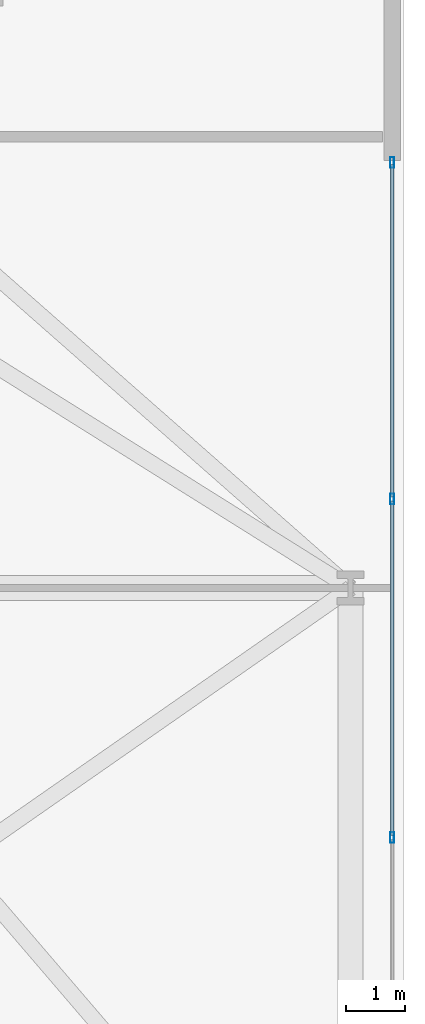
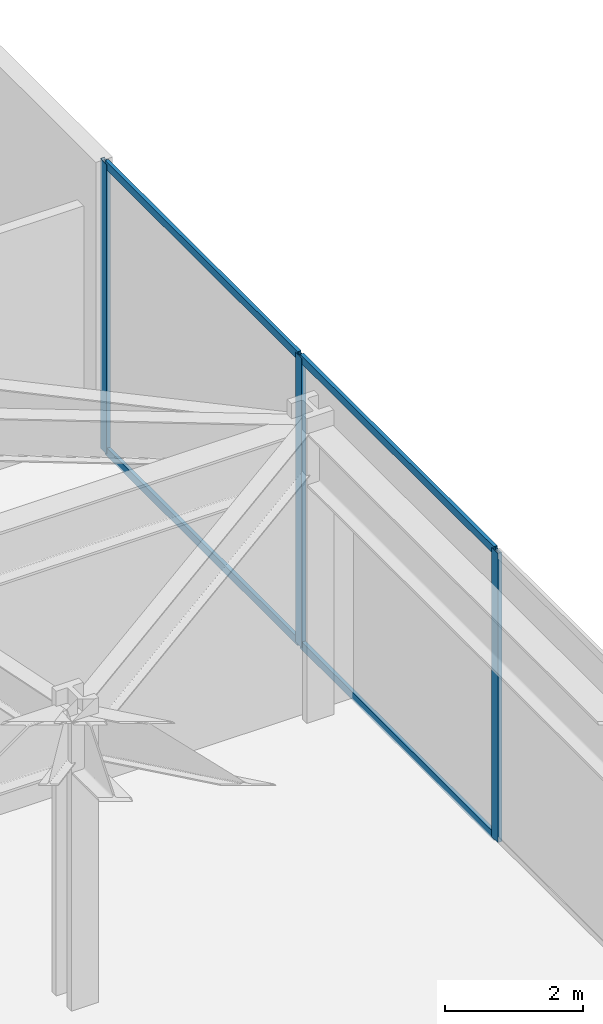
# One storey, part 23 of 31: 7 members, 1 element without a shape of its own.
"""IFC4 building model written with IfcOpenShell, lengths in metres."""

import ifcopenshell
import ifcopenshell.guid

model = None  # the IFC model being written
_history = None  # IfcOwnerHistory: only IFC2X3 demands one
_inside = {}  # id of a spatial element -> (the spatial element, [elements in it])
_under = {}  # id of a project, library or spatial element -> (it, [spatial elements below it])
_declared = {}  # id of a project -> (the project, [libraries it declares])
_typed = {}  # id of a type object -> (the type object, [elements of that type])
_made_of = {}  # id of a material, layer set ... -> (it, [elements and type objects made of it])


def new_model(schema):
    """Start an empty IFC model of exactly this schema.

    Asked for "IFC4X3", IfcOpenShell would pick the latest addendum, in which some entities
    have other attributes; the version numbers below select the first issue.
    IFC2X3 requires an IfcOwnerHistory on every rooted entity: one is made here for all.
    """
    global model, _history
    if schema == "IFC4X3":
        model = ifcopenshell.file(schema_version=(4, 3, 0, 0))
    else:
        model = ifcopenshell.file(schema=schema)
    _inside.clear()
    _under.clear()
    _declared.clear()
    _typed.clear()
    _made_of.clear()
    _history = None
    if model.schema == "IFC2X3":
        org = make("IfcOrganization", Name="unknown")
        user = make(
            "IfcPersonAndOrganization",
            ThePerson=make("IfcPerson", FamilyName="unknown"),
            TheOrganization=org,
        )
        app = make(
            "IfcApplication",
            ApplicationDeveloper=org,
            Version="unknown",
            ApplicationFullName="unknown",
            ApplicationIdentifier="unknown",
        )
        _history = make(
            "IfcOwnerHistory",
            OwningUser=user,
            OwningApplication=app,
            ChangeAction="ADDED",
            CreationDate=0,
        )
    return model


def make(cls, **values):
    """One entity of the class cls with the attributes given. An attribute that is None is left unset."""
    return model.create_entity(
        cls, **{name: value for name, value in values.items() if value is not None}
    )


def rooted(cls, **values):
    """An entity with a GlobalId (a new one), such as an element, a storey or a relation."""
    return make(cls, GlobalId=ifcopenshell.guid.new(), OwnerHistory=_history, **values)


def si_unit(unit_type, name, prefix=None):
    """IfcSIUnit, for example si_unit("LENGTHUNIT", "METRE", prefix="MILLI")."""
    return make("IfcSIUnit", UnitType=unit_type, Prefix=prefix, Name=name)


def assignment(units):
    """IfcUnitAssignment: the units of a project."""
    return None if units is None else make("IfcUnitAssignment", Units=units)


def point(xyz):
    """IfcCartesianPoint."""
    return None if xyz is None else make("IfcCartesianPoint", Coordinates=xyz)


def direction(xyz):
    """IfcDirection."""
    return None if xyz is None else make("IfcDirection", DirectionRatios=xyz)


def frame(location, z_axis=None, x_axis=None):
    """IfcAxis2Placement3D, a coordinate frame: its origin and axes. An axis left out is left unset."""
    return make(
        "IfcAxis2Placement3D",
        Location=point(location),
        Axis=direction(z_axis),
        RefDirection=direction(x_axis),
    )


def frame_2d(location, x_axis=None):
    """IfcAxis2Placement2D, a coordinate frame in the plane: its origin and x axis."""
    return make(
        "IfcAxis2Placement2D", Location=point(location), RefDirection=direction(x_axis)
    )


def origin():
    """The frame at (0, 0, 0) with its axes left unset."""
    return frame((0.0, 0.0, 0.0))


def origin_2d():
    """The frame at (0, 0) in the plane with its x axis left unset."""
    return frame_2d((0.0, 0.0))


def place(relative_to, where):
    """IfcLocalPlacement: puts the frame where relative to a parent placement (None: the world)."""
    return make(
        "IfcLocalPlacement", PlacementRelTo=relative_to, RelativePlacement=where
    )


def context(
    kind, dimensions, precision=None, world=None, true_north=None, identifier=None
):
    """IfcGeometricRepresentationContext, for example the 3D "Model" context."""
    return make(
        "IfcGeometricRepresentationContext",
        ContextIdentifier=identifier,
        ContextType=kind,
        CoordinateSpaceDimension=dimensions,
        Precision=precision,
        WorldCoordinateSystem=world,
        TrueNorth=true_north,
    )


def subcontext(parent, identifier, kind, view, scale=None):
    """IfcGeometricRepresentationSubContext, for example "Body" below "Model"."""
    return make(
        "IfcGeometricRepresentationSubContext",
        ContextIdentifier=identifier,
        ContextType=kind,
        ParentContext=parent,
        TargetScale=scale,
        TargetView=view,
    )


def project(units=None, contexts=None):
    """IfcProject with its units and contexts."""
    return rooted(
        "IfcProject",
        Name="project",
        RepresentationContexts=contexts,
        UnitsInContext=assignment(units),
    )


def spatial(cls, under=None, at=None, **own):
    """A site, building, storey or space (cls), placed at a placement, below another one or the project."""
    s = rooted(cls, ObjectPlacement=at, **own)
    if under is not None:
        _under.setdefault(under.id(), (under, []))[1].append(s)
    return s


def profile(cls, at=None, kind="AREA", **sizes):
    """A parametric profile (cls). Its sizes go by their IFC names, for example OverallWidth=200.0."""
    return make(cls, ProfileType=kind, Position=at, **sizes)


def hollow_rectangle(**sizes):
    """IfcRectangleHollowProfileDef."""
    return profile("IfcRectangleHollowProfileDef", **sizes)


def extrude(swept, where, along, depth):
    """IfcExtrudedAreaSolid: the profile swept, set in the frame where, extruded along a direction by depth."""
    return make(
        "IfcExtrudedAreaSolid",
        SweptArea=swept,
        Position=where,
        ExtrudedDirection=direction(along),
        Depth=depth,
    )


def shape(context_of_items, identifier, shape_type, items):
    """IfcShapeRepresentation: the items that make up one representation, for example the "Body"."""
    return make(
        "IfcShapeRepresentation",
        ContextOfItems=context_of_items,
        RepresentationIdentifier=identifier,
        RepresentationType=shape_type,
        Items=items,
    )


def material(Name=None, Category=None):
    """IfcMaterial."""
    return make("IfcMaterial", Name=Name, Category=Category)


def layer(
    of_material, thickness, ventilated=None, Name=None, Category=None, Priority=None
):
    """IfcMaterialLayer: one layer of a wall or slab, of a material (None: an air gap)."""
    return make(
        "IfcMaterialLayer",
        Material=of_material,
        LayerThickness=thickness,
        IsVentilated=ventilated,
        Name=Name,
        Category=Category,
        Priority=Priority,
    )


def layer_set(layers, Name=None):
    """IfcMaterialLayerSet."""
    return make("IfcMaterialLayerSet", MaterialLayers=layers, LayerSetName=Name)


def material_profile(
    of_material, cross_section, Name=None, Category=None, Priority=None
):
    """IfcMaterialProfile: a cross section and its material."""
    return make(
        "IfcMaterialProfile",
        Name=Name,
        Material=of_material,
        Profile=cross_section,
        Priority=Priority,
        Category=Category,
    )


def profile_set(profiles, Name=None, composite=None):
    """IfcMaterialProfileSet."""
    return make(
        "IfcMaterialProfileSet",
        Name=Name,
        MaterialProfiles=profiles,
        CompositeProfile=composite,
    )


def made_of(thing, what):
    """Note that an element or type object is made of a material, layer set ...; save() writes the relation."""
    if what is not None:
        _made_of.setdefault(what.id(), (what, []))[1].append(thing)
    return thing


def type_object(cls, material=None, **own):
    """A type object (cls), such as IfcWallType, which elements share."""
    return made_of(rooted(cls, **own), material)


def element(
    cls,
    number,
    at=None,
    inside=None,
    cuts=None,
    type_object=None,
    material=None,
    context=None,
    identifier="Body",
    shape_type=None,
    held_by="IfcProductDefinitionShape",
    body=None,
    shapes=None,
    **own,
):
    """One element of the class cls, such as IfcWall. Its Tag is "e" and its number.

    at: its placement. inside: the storey or other place that contains it. cuts: it is an
    opening in that element (IfcRelVoidsElement). A single representation is given by context,
    identifier, shape_type and body (its items); several are given by shapes. held_by: the class
    of the entity that holds the representations. save() writes the other relations.
    """
    e = rooted(cls, Tag="e%d" % number, ObjectPlacement=at, **own)
    if body is not None:
        shapes = [shape(context, identifier, shape_type, body)]
    if shapes is not None:
        e.Representation = make(held_by, Representations=shapes)
    if inside is not None:
        _inside.setdefault(inside.id(), (inside, []))[1].append(e)
    if cuts is not None:
        rooted(
            "IfcRelVoidsElement", RelatingBuildingElement=cuts, RelatedOpeningElement=e
        )
    if type_object is not None:
        _typed.setdefault(type_object.id(), (type_object, []))[1].append(e)
    return made_of(e, material)


def aggregate(whole, parts):
    """IfcRelAggregates: a whole, such as a stair, and the parts it consists of."""
    return rooted("IfcRelAggregates", RelatingObject=whole, RelatedObjects=parts)


def save(model, path):
    """Write the relations noted so far, then the file.

    IfcRelAggregates (storeys below a building ...), IfcRelContainedInSpatialStructure (elements
    in a storey), IfcRelDefinesByType, IfcRelAssociatesMaterial and IfcRelDeclares: one each for
    every whole, place, type object, material and project.
    """
    for whole, parts in _under.values():
        aggregate(whole, parts)
    for where, things in _inside.values():
        rooted(
            "IfcRelContainedInSpatialStructure",
            RelatedElements=things,
            RelatingStructure=where,
        )
    for kind, things in _typed.values():
        rooted("IfcRelDefinesByType", RelatedObjects=things, RelatingType=kind)
    for what, things in _made_of.values():
        rooted("IfcRelAssociatesMaterial", RelatedObjects=things, RelatingMaterial=what)
    for by, libraries in _declared.values():
        rooted("IfcRelDeclares", RelatingContext=by, RelatedDefinitions=libraries)
    model.write(path)


model = new_model("IFC4")

# Units and contexts
model_context = context("Model", 3, precision=1e-05, world=origin(), true_north=direction((0.0, 1.0)))
body_context = subcontext(model_context, "Body", "Model", "MODEL_VIEW")
ifc_project = project(units=[si_unit("LENGTHUNIT", "METRE"), si_unit("AREAUNIT", "SQUARE_METRE"), si_unit("VOLUMEUNIT", "CUBIC_METRE"), si_unit("PLANEANGLEUNIT", "RADIAN"), si_unit("MASSUNIT", "GRAM", prefix="KILO")], contexts=[model_context])

# Site, building, storey
site_placement = place(None, origin())
site = spatial("IfcSite", under=ifc_project, at=site_placement, CompositionType="ELEMENT")
building_placement = place(site_placement, origin())
building = spatial("IfcBuilding", under=site, at=building_placement, Name="Kravanh Interchange Tower", CompositionType="ELEMENT")
storey_placement = place(building_placement, origin())
storey = spatial("IfcBuildingStorey", under=building, at=storey_placement, Name="L00", CompositionType="ELEMENT", Elevation=0.0)

# Curtain wall, members
ifc_material_1 = material(Name="Anodised Bronze Aluminium", Category="aluminium")
ifc_layer = layer(ifc_material_1, 0.179931640625)
ifc_layer_set = layer_set([ifc_layer], Name="Unitised Curtain Wall System CW-POD Podium Concourse")
curtain_wall_type = type_object("IfcCurtainWallType", Name="Unitised Curtain Wall System CW-POD Podium Concourse", PredefinedType="NOTDEFINED", material=ifc_layer_set)
curtain_wall_placement = place(storey_placement, origin())
curtain_wall = element("IfcCurtainWall", 1, at=curtain_wall_placement, inside=storey, type_object=curtain_wall_type, Name="L00 Unitised Curtain Wall CW-L00-04", PredefinedType="NOTDEFINED")
ifc_material_2 = material(Name="Anodised Bronze Aluminium", Category="aluminium")
ifc_material_profile_1 = material_profile(ifc_material_2, hollow_rectangle(XDim=0.070068359375, YDim=0.179931640625, WallThickness=0.00390625, at=origin_2d()), Name="ALU70X180X4")
ifc_profile_set_1 = profile_set([ifc_material_profile_1], Name="Anodised Bronze Aluminium")
member_type_1 = type_object("IfcMemberType", Name="Curtain Wall Mullion ALU70X180X4 Bronze", PredefinedType="MULLION", material=ifc_profile_set_1)
member_1_placement = place(storey_placement, frame((73.800048828125, 22.60009765625, 0.0), z_axis=(0.0, 0.0, 1.0), x_axis=(-1.0, 0.0, 0.0)))
member_1 = element("IfcMember", 2, at=member_1_placement, type_object=member_type_1, Name="CW-POD mullion 4", PredefinedType="MULLION", context=body_context, shape_type="SweptSolid", body=[
    extrude(hollow_rectangle(XDim=0.070068359375, YDim=0.179931640625, WallThickness=0.00390625, at=origin_2d()), origin(), (0.0, 0.0, 1.0), 5.1298828125),
])
member_2_placement = place(storey_placement, frame((73.800048828125, 28.300048828125, 0.0), z_axis=(0.0, 0.0, 1.0), x_axis=(-1.0, 0.0, 0.0)))
member_2 = element("IfcMember", 3, at=member_2_placement, type_object=member_type_1, Name="CW-POD mullion 5", PredefinedType="MULLION", context=body_context, shape_type="SweptSolid", body=[
    extrude(hollow_rectangle(XDim=0.070068359375, YDim=0.179931640625, WallThickness=0.00390625, at=origin_2d()), origin(), (0.0, 0.0, 1.0), 5.1298828125),
])
member_3_placement = place(storey_placement, frame((73.800048828125, 33.965087890625, 0.0), z_axis=(0.0, 0.0, 1.0), x_axis=(-1.0, 0.0, 0.0)))
member_3 = element("IfcMember", 4, at=member_3_placement, type_object=member_type_1, Name="CW-POD mullion 6", PredefinedType="MULLION", context=body_context, shape_type="SweptSolid", body=[
    extrude(hollow_rectangle(XDim=0.070068359375, YDim=0.179931640625, WallThickness=0.00390625, at=origin_2d()), origin(), (0.0, 0.0, 1.0), 5.1298828125),
])
ifc_material_3 = material(Name="Anodised Bronze Aluminium", Category="aluminium")
ifc_material_profile_2 = material_profile(ifc_material_3, hollow_rectangle(XDim=0.06005859375, YDim=0.139892578125, WallThickness=0.00390625, at=origin_2d()), Name="ALU60X140X4")
ifc_profile_set_2 = profile_set([ifc_material_profile_2], Name="Anodised Bronze Aluminium")
member_type_2 = type_object("IfcMemberType", Name="Curtain Wall Transom ALU60X140X4 Bronze", PredefinedType="USERDEFINED", material=ifc_profile_set_2)
member_4_placement = place(storey_placement, frame((73.800048828125, 22.635009765625, 0.030029296875), z_axis=(0.0, 1.0, 0.0), x_axis=(-1.0, 0.0, 0.0)))
member_4 = element("IfcMember", 5, at=member_4_placement, type_object=member_type_2, Name="CW-POD transom 4.1", ObjectType="TRANSOM", PredefinedType="USERDEFINED", context=body_context, shape_type="SweptSolid", body=[
    extrude(hollow_rectangle(XDim=0.06005859375, YDim=0.139892578125, WallThickness=0.00390625, at=origin_2d()), origin(), (0.0, 0.0, 1.0), 5.6298828125),
])
member_5_placement = place(storey_placement, frame((73.800048828125, 22.635009765625, 5.10009765625), z_axis=(0.0, 1.0, 0.0), x_axis=(-1.0, 0.0, 0.0)))
member_5 = element("IfcMember", 6, at=member_5_placement, type_object=member_type_2, Name="CW-POD transom 4.2", ObjectType="TRANSOM", PredefinedType="USERDEFINED", context=body_context, shape_type="SweptSolid", body=[
    extrude(hollow_rectangle(XDim=0.06005859375, YDim=0.139892578125, WallThickness=0.00390625, at=origin_2d()), origin(), (0.0, 0.0, 1.0), 5.6298828125),
])
member_6_placement = place(storey_placement, frame((73.800048828125, 28.3349609375, 0.030029296875), z_axis=(0.0, 1.0, 0.0), x_axis=(-1.0, 0.0, 0.0)))
member_6 = element("IfcMember", 7, at=member_6_placement, type_object=member_type_2, Name="CW-POD transom 5.1", ObjectType="TRANSOM", PredefinedType="USERDEFINED", context=body_context, shape_type="SweptSolid", body=[
    extrude(hollow_rectangle(XDim=0.06005859375, YDim=0.139892578125, WallThickness=0.00390625, at=origin_2d()), origin(), (0.0, 0.0, 1.0), 5.594970703125),
])
member_7_placement = place(storey_placement, frame((73.800048828125, 28.3349609375, 5.10009765625), z_axis=(0.0, 1.0, 0.0), x_axis=(-1.0, 0.0, 0.0)))
member_7 = element("IfcMember", 8, at=member_7_placement, type_object=member_type_2, Name="CW-POD transom 5.2", ObjectType="TRANSOM", PredefinedType="USERDEFINED", context=body_context, shape_type="SweptSolid", body=[
    extrude(hollow_rectangle(XDim=0.06005859375, YDim=0.139892578125, WallThickness=0.00390625, at=origin_2d()), origin(), (0.0, 0.0, 1.0), 5.594970703125),
])
aggregate(curtain_wall, [member_1, member_2, member_3, member_4, member_5, member_6, member_7])

save(model, "model.ifc")
